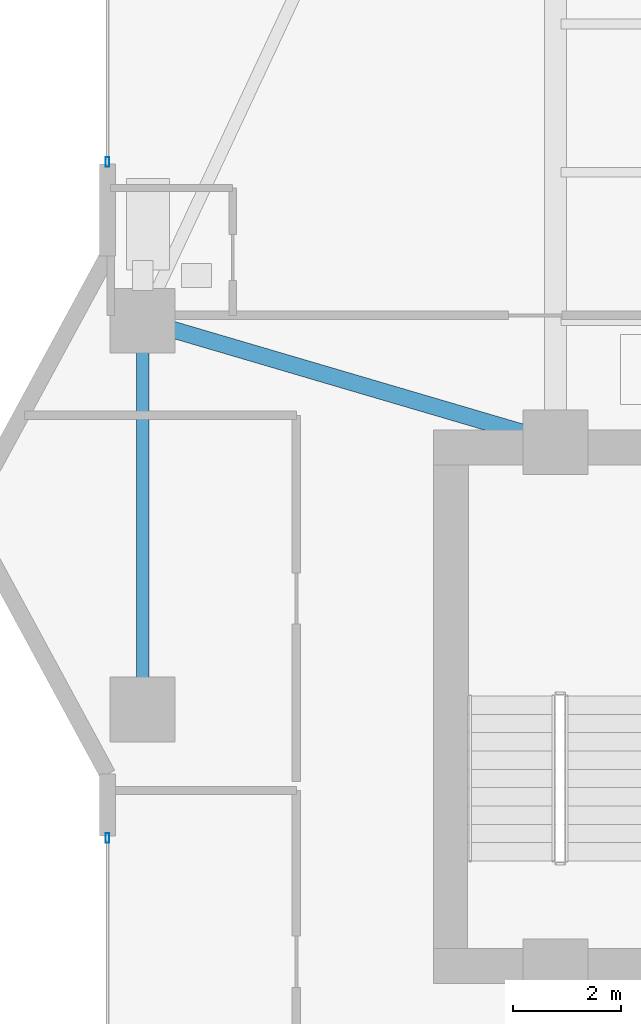
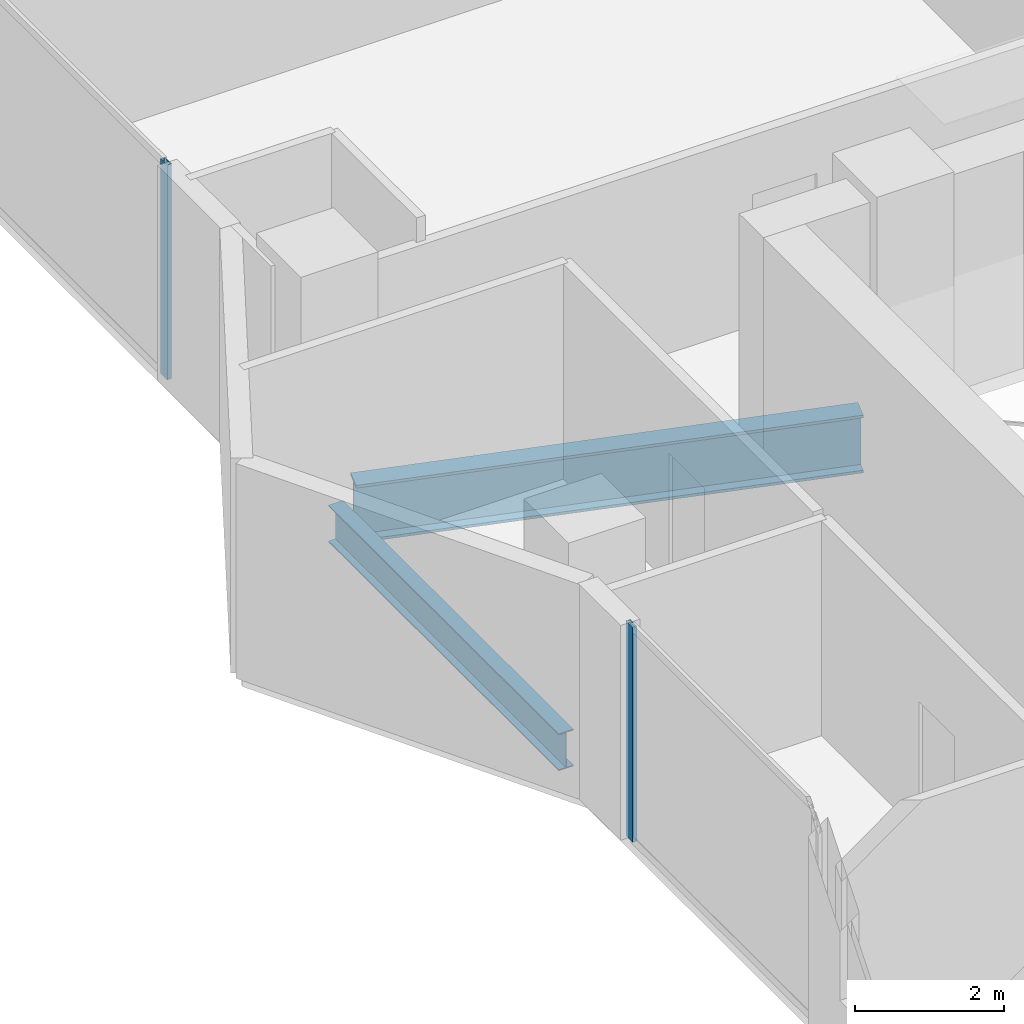
# One storey, part 9 of 32: 2 beams, 2 members, 2 elements without a shape of their own.
"""IFC4 building model written with IfcOpenShell, lengths in metres."""

import ifcopenshell
import ifcopenshell.guid

model = None  # the IFC model being written
_history = None  # IfcOwnerHistory: only IFC2X3 demands one
_inside = {}  # id of a spatial element -> (the spatial element, [elements in it])
_under = {}  # id of a project, library or spatial element -> (it, [spatial elements below it])
_declared = {}  # id of a project -> (the project, [libraries it declares])
_typed = {}  # id of a type object -> (the type object, [elements of that type])
_made_of = {}  # id of a material, layer set ... -> (it, [elements and type objects made of it])


def new_model(schema):
    """Start an empty IFC model of exactly this schema.

    Asked for "IFC4X3", IfcOpenShell would pick the latest addendum, in which some entities
    have other attributes; the version numbers below select the first issue.
    IFC2X3 requires an IfcOwnerHistory on every rooted entity: one is made here for all.
    """
    global model, _history
    if schema == "IFC4X3":
        model = ifcopenshell.file(schema_version=(4, 3, 0, 0))
    else:
        model = ifcopenshell.file(schema=schema)
    _inside.clear()
    _under.clear()
    _declared.clear()
    _typed.clear()
    _made_of.clear()
    _history = None
    if model.schema == "IFC2X3":
        org = make("IfcOrganization", Name="unknown")
        user = make(
            "IfcPersonAndOrganization",
            ThePerson=make("IfcPerson", FamilyName="unknown"),
            TheOrganization=org,
        )
        app = make(
            "IfcApplication",
            ApplicationDeveloper=org,
            Version="unknown",
            ApplicationFullName="unknown",
            ApplicationIdentifier="unknown",
        )
        _history = make(
            "IfcOwnerHistory",
            OwningUser=user,
            OwningApplication=app,
            ChangeAction="ADDED",
            CreationDate=0,
        )
    return model


def make(cls, **values):
    """One entity of the class cls with the attributes given. An attribute that is None is left unset."""
    return model.create_entity(
        cls, **{name: value for name, value in values.items() if value is not None}
    )


def rooted(cls, **values):
    """An entity with a GlobalId (a new one), such as an element, a storey or a relation."""
    return make(cls, GlobalId=ifcopenshell.guid.new(), OwnerHistory=_history, **values)


def si_unit(unit_type, name, prefix=None):
    """IfcSIUnit, for example si_unit("LENGTHUNIT", "METRE", prefix="MILLI")."""
    return make("IfcSIUnit", UnitType=unit_type, Prefix=prefix, Name=name)


def assignment(units):
    """IfcUnitAssignment: the units of a project."""
    return None if units is None else make("IfcUnitAssignment", Units=units)


def point(xyz):
    """IfcCartesianPoint."""
    return None if xyz is None else make("IfcCartesianPoint", Coordinates=xyz)


def direction(xyz):
    """IfcDirection."""
    return None if xyz is None else make("IfcDirection", DirectionRatios=xyz)


def frame(location, z_axis=None, x_axis=None):
    """IfcAxis2Placement3D, a coordinate frame: its origin and axes. An axis left out is left unset."""
    return make(
        "IfcAxis2Placement3D",
        Location=point(location),
        Axis=direction(z_axis),
        RefDirection=direction(x_axis),
    )


def frame_2d(location, x_axis=None):
    """IfcAxis2Placement2D, a coordinate frame in the plane: its origin and x axis."""
    return make(
        "IfcAxis2Placement2D", Location=point(location), RefDirection=direction(x_axis)
    )


def origin():
    """The frame at (0, 0, 0) with its axes left unset."""
    return frame((0.0, 0.0, 0.0))


def origin_2d():
    """The frame at (0, 0) in the plane with its x axis left unset."""
    return frame_2d((0.0, 0.0))


def place(relative_to, where):
    """IfcLocalPlacement: puts the frame where relative to a parent placement (None: the world)."""
    return make(
        "IfcLocalPlacement", PlacementRelTo=relative_to, RelativePlacement=where
    )


def context(
    kind, dimensions, precision=None, world=None, true_north=None, identifier=None
):
    """IfcGeometricRepresentationContext, for example the 3D "Model" context."""
    return make(
        "IfcGeometricRepresentationContext",
        ContextIdentifier=identifier,
        ContextType=kind,
        CoordinateSpaceDimension=dimensions,
        Precision=precision,
        WorldCoordinateSystem=world,
        TrueNorth=true_north,
    )


def subcontext(parent, identifier, kind, view, scale=None):
    """IfcGeometricRepresentationSubContext, for example "Body" below "Model"."""
    return make(
        "IfcGeometricRepresentationSubContext",
        ContextIdentifier=identifier,
        ContextType=kind,
        ParentContext=parent,
        TargetScale=scale,
        TargetView=view,
    )


def project(units=None, contexts=None):
    """IfcProject with its units and contexts."""
    return rooted(
        "IfcProject",
        Name="project",
        RepresentationContexts=contexts,
        UnitsInContext=assignment(units),
    )


def spatial(cls, under=None, at=None, **own):
    """A site, building, storey or space (cls), placed at a placement, below another one or the project."""
    s = rooted(cls, ObjectPlacement=at, **own)
    if under is not None:
        _under.setdefault(under.id(), (under, []))[1].append(s)
    return s


def profile(cls, at=None, kind="AREA", **sizes):
    """A parametric profile (cls). Its sizes go by their IFC names, for example OverallWidth=200.0."""
    return make(cls, ProfileType=kind, Position=at, **sizes)


def hollow_rectangle(**sizes):
    """IfcRectangleHollowProfileDef."""
    return profile("IfcRectangleHollowProfileDef", **sizes)


def i_section(**sizes):
    """IfcIShapeProfileDef."""
    return profile("IfcIShapeProfileDef", **sizes)


def extrude(swept, where, along, depth):
    """IfcExtrudedAreaSolid: the profile swept, set in the frame where, extruded along a direction by depth."""
    return make(
        "IfcExtrudedAreaSolid",
        SweptArea=swept,
        Position=where,
        ExtrudedDirection=direction(along),
        Depth=depth,
    )


def shape(context_of_items, identifier, shape_type, items):
    """IfcShapeRepresentation: the items that make up one representation, for example the "Body"."""
    return make(
        "IfcShapeRepresentation",
        ContextOfItems=context_of_items,
        RepresentationIdentifier=identifier,
        RepresentationType=shape_type,
        Items=items,
    )


def material(Name=None, Category=None):
    """IfcMaterial."""
    return make("IfcMaterial", Name=Name, Category=Category)


def layer(
    of_material, thickness, ventilated=None, Name=None, Category=None, Priority=None
):
    """IfcMaterialLayer: one layer of a wall or slab, of a material (None: an air gap)."""
    return make(
        "IfcMaterialLayer",
        Material=of_material,
        LayerThickness=thickness,
        IsVentilated=ventilated,
        Name=Name,
        Category=Category,
        Priority=Priority,
    )


def layer_set(layers, Name=None):
    """IfcMaterialLayerSet."""
    return make("IfcMaterialLayerSet", MaterialLayers=layers, LayerSetName=Name)


def material_profile(
    of_material, cross_section, Name=None, Category=None, Priority=None
):
    """IfcMaterialProfile: a cross section and its material."""
    return make(
        "IfcMaterialProfile",
        Name=Name,
        Material=of_material,
        Profile=cross_section,
        Priority=Priority,
        Category=Category,
    )


def profile_set(profiles, Name=None, composite=None):
    """IfcMaterialProfileSet."""
    return make(
        "IfcMaterialProfileSet",
        Name=Name,
        MaterialProfiles=profiles,
        CompositeProfile=composite,
    )


def made_of(thing, what):
    """Note that an element or type object is made of a material, layer set ...; save() writes the relation."""
    if what is not None:
        _made_of.setdefault(what.id(), (what, []))[1].append(thing)
    return thing


def type_object(cls, material=None, **own):
    """A type object (cls), such as IfcWallType, which elements share."""
    return made_of(rooted(cls, **own), material)


def element(
    cls,
    number,
    at=None,
    inside=None,
    cuts=None,
    type_object=None,
    material=None,
    context=None,
    identifier="Body",
    shape_type=None,
    held_by="IfcProductDefinitionShape",
    body=None,
    shapes=None,
    **own,
):
    """One element of the class cls, such as IfcWall. Its Tag is "e" and its number.

    at: its placement. inside: the storey or other place that contains it. cuts: it is an
    opening in that element (IfcRelVoidsElement). A single representation is given by context,
    identifier, shape_type and body (its items); several are given by shapes. held_by: the class
    of the entity that holds the representations. save() writes the other relations.
    """
    e = rooted(cls, Tag="e%d" % number, ObjectPlacement=at, **own)
    if body is not None:
        shapes = [shape(context, identifier, shape_type, body)]
    if shapes is not None:
        e.Representation = make(held_by, Representations=shapes)
    if inside is not None:
        _inside.setdefault(inside.id(), (inside, []))[1].append(e)
    if cuts is not None:
        rooted(
            "IfcRelVoidsElement", RelatingBuildingElement=cuts, RelatedOpeningElement=e
        )
    if type_object is not None:
        _typed.setdefault(type_object.id(), (type_object, []))[1].append(e)
    return made_of(e, material)


def aggregate(whole, parts):
    """IfcRelAggregates: a whole, such as a stair, and the parts it consists of."""
    return rooted("IfcRelAggregates", RelatingObject=whole, RelatedObjects=parts)


def save(model, path):
    """Write the relations noted so far, then the file.

    IfcRelAggregates (storeys below a building ...), IfcRelContainedInSpatialStructure (elements
    in a storey), IfcRelDefinesByType, IfcRelAssociatesMaterial and IfcRelDeclares: one each for
    every whole, place, type object, material and project.
    """
    for whole, parts in _under.values():
        aggregate(whole, parts)
    for where, things in _inside.values():
        rooted(
            "IfcRelContainedInSpatialStructure",
            RelatedElements=things,
            RelatingStructure=where,
        )
    for kind, things in _typed.values():
        rooted("IfcRelDefinesByType", RelatedObjects=things, RelatingType=kind)
    for what, things in _made_of.values():
        rooted("IfcRelAssociatesMaterial", RelatedObjects=things, RelatingMaterial=what)
    for by, libraries in _declared.values():
        rooted("IfcRelDeclares", RelatingContext=by, RelatedDefinitions=libraries)
    model.write(path)


model = new_model("IFC4")

# Units and contexts
model_context = context("Model", 3, precision=1e-05, world=origin(), true_north=direction((0.0, 1.0)))
body_context = subcontext(model_context, "Body", "Model", "MODEL_VIEW")
ifc_project = project(units=[si_unit("LENGTHUNIT", "METRE"), si_unit("AREAUNIT", "SQUARE_METRE"), si_unit("VOLUMEUNIT", "CUBIC_METRE"), si_unit("PLANEANGLEUNIT", "RADIAN"), si_unit("MASSUNIT", "GRAM", prefix="KILO")], contexts=[model_context])

# Site, building, storey
site_placement = place(None, origin())
site = spatial("IfcSite", under=ifc_project, at=site_placement, CompositionType="ELEMENT")
building_placement = place(site_placement, origin())
building = spatial("IfcBuilding", under=site, at=building_placement, Name="Zuhayl Quay Hotel", CompositionType="ELEMENT")
storey_placement = place(building_placement, frame((0.0, 0.0, 203.64990234375)))
storey = spatial("IfcBuildingStorey", under=building, at=storey_placement, Name="L51", CompositionType="ELEMENT", Elevation=203.64990234375)

# Beams
ifc_material_1 = material(Name="Steel ASTM A992 Grade 50", Category="steel")
ifc_material_profile_1 = material_profile(ifc_material_1, i_section(OverallWidth=0.22802734375, OverallDepth=0.60693359375, WebThickness=0.01123046875, FlangeThickness=0.017333984375, at=origin_2d()), Name="W24X76")
ifc_profile_set_1 = profile_set([ifc_material_profile_1], Name="Steel ASTM A992 Grade 50")
beam_type_1 = type_object("IfcBeamType", Name="BM_B3_W24X76", PredefinedType="BEAM", material=ifc_profile_set_1)
beam_1_placement = place(storey_placement, frame((-21.449951171875, 16.10009765625, -0.5234375), z_axis=(0.0, -1.0, 0.0), x_axis=(1.0, 0.0, 0.0)))
element("IfcBeam", 1, at=beam_1_placement, inside=storey, type_object=beam_type_1, Name="L51 Floor Beam RG_L51_11", PredefinedType="BEAM", context=body_context, shape_type="SweptSolid", body=[
    extrude(i_section(OverallWidth=0.22802734375, OverallDepth=0.60693359375, WebThickness=0.01123046875, FlangeThickness=0.017333984375, at=origin_2d()), origin(), (0.0, 0.0, 1.0), 6.2001953125),
])
ifc_material_profile_2 = material_profile(ifc_material_1, i_section(OverallWidth=0.31005859375, OverallDepth=0.949951171875, WebThickness=0.0244140625, FlangeThickness=0.0439453125, at=origin_2d()), Name="W36X256")
ifc_profile_set_2 = profile_set([ifc_material_profile_2], Name="Steel ASTM A992 Grade 50")
beam_type_2 = type_object("IfcBeamType", Name="BM_PG1_W36X256", PredefinedType="BEAM", material=ifc_profile_set_2)
beam_2_placement = place(storey_placement, frame((-20.97021484375, 16.458984375, -0.69482421875), z_axis=(0.959364948093, -0.282168205812, 0.0), x_axis=(0.282168205812, 0.959364948093, 0.0)))
element("IfcBeam", 2, at=beam_2_placement, inside=storey, type_object=beam_type_2, Name="L51 Floor Beam FG_W_L51_2", PredefinedType="BEAM", context=body_context, shape_type="SweptSolid", body=[
    extrude(i_section(OverallWidth=0.31005859375, OverallDepth=0.949951171875, WebThickness=0.0244140625, FlangeThickness=0.0439453125, at=origin_2d()), origin(), (0.0, 0.0, 1.0), 7.02392578125),
])

# Curtain wall, member
ifc_material_2 = material(Name="Anodised Aluminium 6063-T6", Category="aluminium")
ifc_layer = layer(ifc_material_2, 0.175048828125, Name="Anodised Aluminium 6063-T6", Category="aluminium")
ifc_layer_set = layer_set([ifc_layer], Name="Anodised Aluminium 6063-T6")
curtain_wall_type = type_object("IfcCurtainWallType", Name="CW_SYS_Z3", PredefinedType="USERDEFINED", material=ifc_layer_set)
curtain_wall_1_placement = place(storey_placement, origin())
curtain_wall_1 = element("IfcCurtainWall", 3, at=curtain_wall_1_placement, inside=storey, type_object=curtain_wall_type, Name="L51 Curtain Wall ENV_L51_E02_CW1", ObjectType="UNITISED CURTAIN WALL", PredefinedType="USERDEFINED")
ifc_material_3 = material(Name="Black-anodised aluminium 6063-T6", Category="aluminium")
ifc_material_profile_3 = material_profile(ifc_material_3, hollow_rectangle(XDim=0.06494140625, YDim=0.179931640625, WallThickness=0.00341796875, at=origin_2d()), Name="ALU180X65")
ifc_profile_set_3 = profile_set([ifc_material_profile_3], Name="Black-anodised aluminium 6063-T6")
member_type = type_object("IfcMemberType", Name="MB_CW_MUL_180", PredefinedType="MULLION", material=ifc_profile_set_3)
member_1_placement = place(storey_placement, frame((-22.10009765625, 7.017578125, 0.0), z_axis=(0.0, 0.0, 1.0), x_axis=(-1.0, 0.0, 0.0)))
member_1 = element("IfcMember", 4, at=member_1_placement, type_object=member_type, Name="CW-Z3 mullion 2", PredefinedType="MULLION", context=body_context, shape_type="SweptSolid", body=[
    extrude(hollow_rectangle(XDim=0.06494140625, YDim=0.179931640625, WallThickness=0.00341796875, at=origin_2d()), origin(), (0.0, 0.0, 1.0), 3.530029296875),
])
aggregate(curtain_wall_1, [member_1])

curtain_wall_2_placement = place(storey_placement, origin())
curtain_wall_2 = element("IfcCurtainWall", 5, at=curtain_wall_2_placement, inside=storey, type_object=curtain_wall_type, Name="L51 Curtain Wall ENV_L51_E05_CW1", ObjectType="UNITISED CURTAIN WALL", PredefinedType="USERDEFINED")
member_2_placement = place(storey_placement, frame((-22.10009765625, 19.54248046875, 0.0), z_axis=(0.0, 0.0, 1.0), x_axis=(-1.0, 0.0, 0.0)))
member_2 = element("IfcMember", 6, at=member_2_placement, type_object=member_type, Name="CW-Z3 mullion 1", PredefinedType="MULLION", context=body_context, shape_type="SweptSolid", body=[
    extrude(hollow_rectangle(XDim=0.06494140625, YDim=0.179931640625, WallThickness=0.00341796875, at=origin_2d()), origin(), (0.0, 0.0, 1.0), 3.530029296875),
])
aggregate(curtain_wall_2, [member_2])

save(model, "model.ifc")
